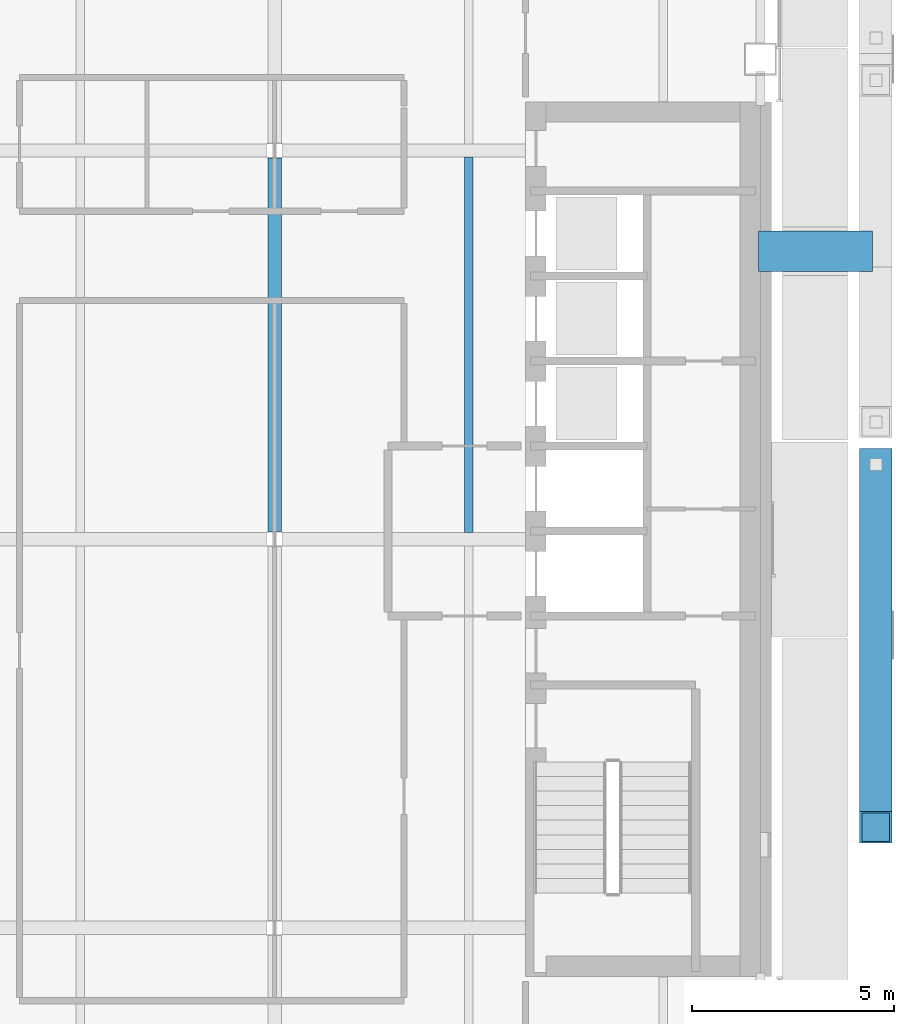
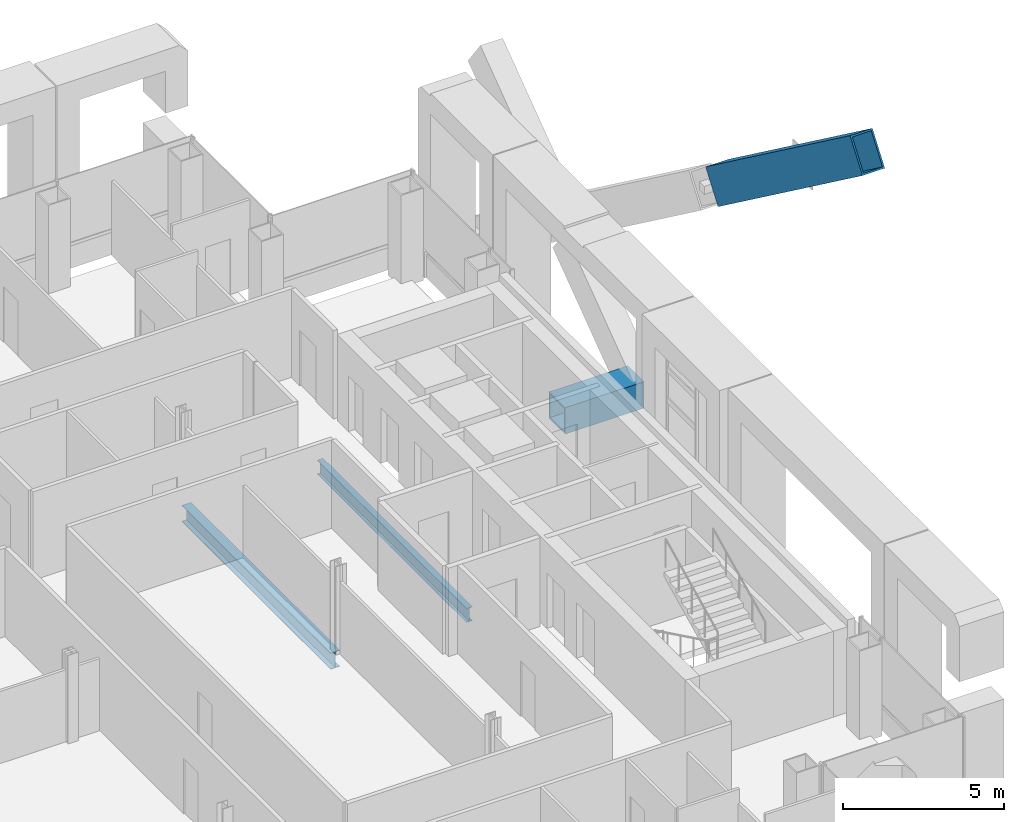
# One storey, part 7 of 22: 3 beams, 1 member.
"""IFC4 building model written with IfcOpenShell, lengths in metres."""

from ifc_helpers import new_model, si_unit, direction, frame, origin, origin_2d, place, context, subcontext, project, spatial, hollow_rectangle, i_section, extrude, material, material_profile, profile_set, type_object, element, save


model = new_model("IFC4")

# Units and contexts
model_context = context("Model", 3, precision=1e-05, world=origin(), true_north=direction((0.0, 1.0)))
body_context = subcontext(model_context, "Body", "Model", "MODEL_VIEW")
ifc_project = project(units=[si_unit("LENGTHUNIT", "METRE"), si_unit("AREAUNIT", "SQUARE_METRE"), si_unit("VOLUMEUNIT", "CUBIC_METRE"), si_unit("PLANEANGLEUNIT", "RADIAN"), si_unit("MASSUNIT", "GRAM", prefix="KILO")], contexts=[model_context])

# Site, building, storey
site_placement = place(None, origin())
site = spatial("IfcSite", under=ifc_project, at=site_placement, CompositionType="ELEMENT")
building_placement = place(site_placement, origin())
building = spatial("IfcBuilding", under=site, at=building_placement, Name="Cobrizo Arcos Hotel Tower", CompositionType="ELEMENT")
storey_placement = place(building_placement, frame((0.0, 0.0, 169.0)))
storey = spatial("IfcBuildingStorey", under=building, at=storey_placement, Name="L43", CompositionType="ELEMENT", Elevation=169.0)

# Beam
ifc_material_1 = material(Name="Steel ASTM A572 Grade 50", Category="steel")
ifc_material_profile_1 = material_profile(ifc_material_1, hollow_rectangle(XDim=1.0, YDim=1.0, WallThickness=0.06005859375, at=origin_2d()), Name="BOX 1000X1000X60")
ifc_profile_set_1 = profile_set([ifc_material_profile_1], Name="Steel ASTM A572 Grade 50")
beam_type_1 = type_object("IfcBeamType", Name="BOX 1000X1000X60 brace connector strut", PredefinedType="BEAM", material=ifc_profile_set_1)
beam_1_placement = place(storey_placement, frame((21.550048828125, 7.1142578125, 0.5), z_axis=(1.0, 0.0, 0.0), x_axis=(0.0, 1.0, 0.0)))
element("IfcBeam", 1, at=beam_1_placement, inside=storey, type_object=beam_type_1, Name="Perimeter brace stub BS1, zone Z3, east face, offset +7.11 m, L43", PredefinedType="BEAM", context=body_context, shape_type="SweptSolid", body=[
    extrude(hollow_rectangle(XDim=1.0, YDim=1.0, WallThickness=0.06005859375, at=origin_2d()), origin(), (0.0, 0.0, 1.0), 2.820068359375),
])

# Member
ifc_material_profile_2 = material_profile(ifc_material_1, hollow_rectangle(XDim=0.800048828125, YDim=1.300048828125, WallThickness=0.06005859375, at=origin_2d()), Name="BOX 800X1300X60")
ifc_profile_set_2 = profile_set([ifc_material_profile_2], Name="Steel ASTM A572 Grade 50")
member_type = type_object("IfcMemberType", Name="BOX 800X1300X60 perimeter brace", PredefinedType="BRACE", material=ifc_profile_set_2)
member_placement = place(storey_placement, frame((24.449951171875, 1.84814453125, 11.385986328125), z_axis=(0.0, -0.804620954099, 0.593788784186), x_axis=(1.0, 0.0, 0.0)))
element("IfcMember", 2, at=member_placement, inside=storey, type_object=member_type, Name="Perimeter brace PBR3, zone Z3, east face, no. 13b", PredefinedType="BRACE", context=body_context, shape_type="SweptSolid", body=[
    extrude(hollow_rectangle(XDim=0.800048828125, YDim=1.300048828125, WallThickness=0.06005859375, at=origin_2d()), origin(), (0.0, 0.0, 1.0), 11.138671875),
])

# Beams
ifc_material_2 = material(Name="Steel ASTM A992 Grade 50", Category="steel")
ifc_material_profile_3 = material_profile(ifc_material_2, i_section(OverallWidth=0.209228515625, OverallDepth=0.533447265625, WebThickness=0.01025390625, FlangeThickness=0.015625, at=origin_2d()), Name="W21X62")
ifc_profile_set_3 = profile_set([ifc_material_profile_3], Name="Steel ASTM A992 Grade 50")
beam_type_2 = type_object("IfcBeamType", Name="W21X62 joist", PredefinedType="JOIST", material=ifc_profile_set_3)
beam_2_placement = place(storey_placement, frame((14.39990234375, 0.163818359375, -0.416748046875), z_axis=(0.0, 1.0, 0.0), x_axis=(-1.0, 0.0, 0.0)))
element("IfcBeam", 3, at=beam_2_placement, inside=storey, type_object=beam_type_2, Name="Floor joist J1, L43, no. 017", PredefinedType="JOIST", context=body_context, shape_type="SweptSolid", body=[
    extrude(i_section(OverallWidth=0.209228515625, OverallDepth=0.533447265625, WebThickness=0.01025390625, FlangeThickness=0.015625, at=origin_2d()), origin(), (0.0, 0.0, 1.0), 9.272216796875),
])
ifc_material_profile_4 = material_profile(ifc_material_2, i_section(OverallWidth=0.32763671875, OverallDepth=0.622314453125, WebThickness=0.015380859375, FlangeThickness=0.0244140625, at=origin_2d()), Name="W24X131")
ifc_profile_set_4 = profile_set([ifc_material_profile_4], Name="Steel ASTM A992 Grade 50")
beam_type_3 = type_object("IfcBeamType", Name="W24X131 girder", PredefinedType="BEAM", material=ifc_profile_set_4)
beam_3_placement = place(storey_placement, frame((9.60009765625, 0.186767578125, -0.461181640625), z_axis=(0.0, 1.0, 0.0), x_axis=(-1.0, 0.0, 0.0)))
element("IfcBeam", 4, at=beam_3_placement, inside=storey, type_object=beam_type_3, Name="Floor girder G1, L43, no. 023", PredefinedType="BEAM", context=body_context, shape_type="SweptSolid", body=[
    extrude(i_section(OverallWidth=0.32763671875, OverallDepth=0.622314453125, WebThickness=0.015380859375, FlangeThickness=0.0244140625, at=origin_2d()), origin(), (0.0, 0.0, 1.0), 9.2265625),
])

save(model, "model.ifc")
